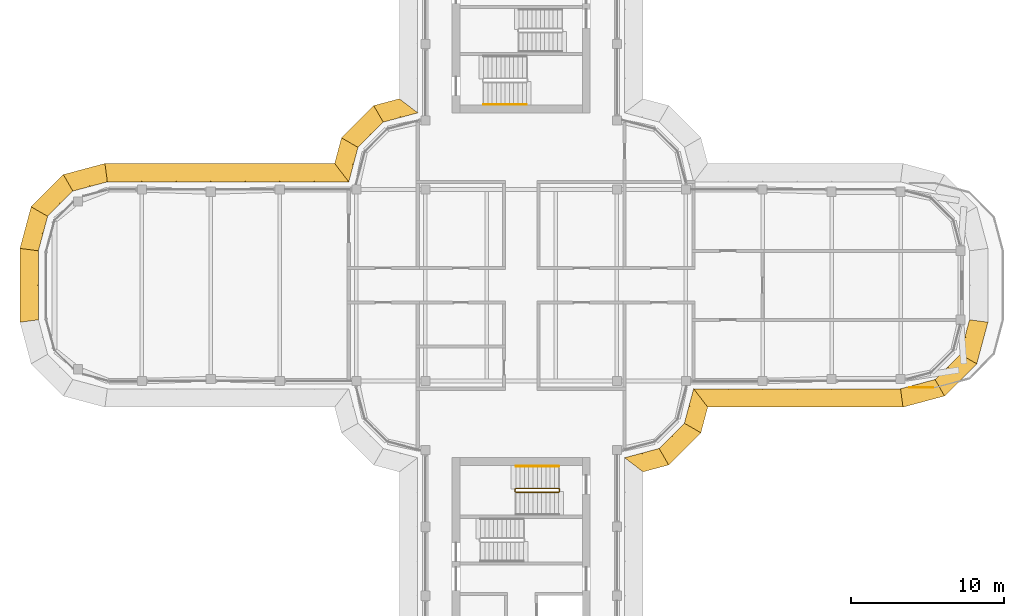
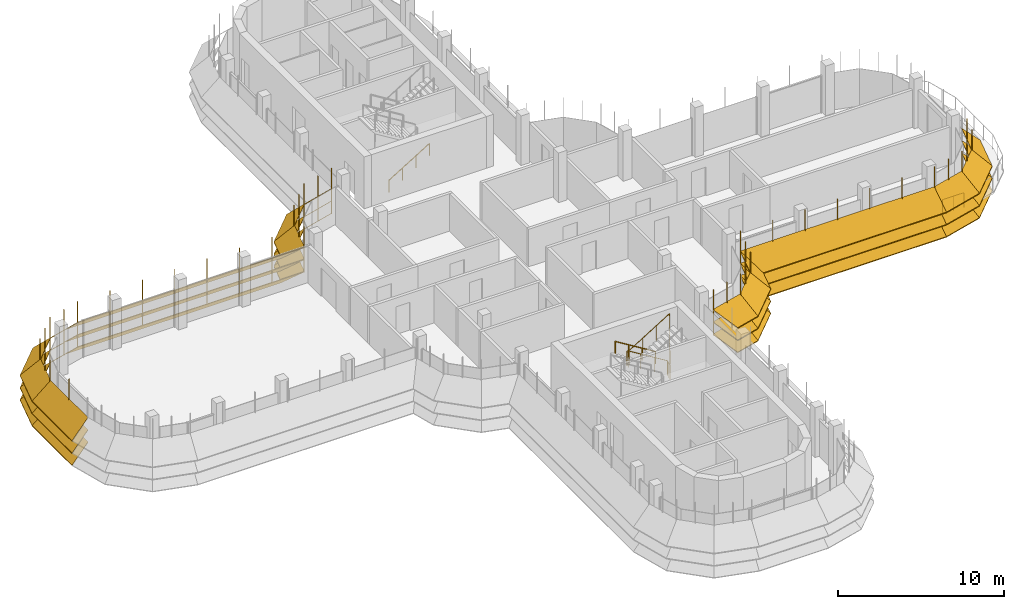
# One storey, part 18 of 20: 7 shading devices, 4 railings.
"""IFC4 building model written with IfcOpenShell, lengths in metres."""

from ifc_helpers import new_model, si_unit, direction, frame, origin, origin_2d, place, context, subcontext, project, spatial, polyline, circle, outline, extrude, faceted_brep, source, transform, mapped, material, type_object, element, save


model = new_model("IFC4")

# Units and contexts
model_context = context("Model", 3, precision=1e-05, world=origin(), true_north=direction((0.0, 1.0)))
body_context = subcontext(model_context, "Body", "Model", "MODEL_VIEW")
ifc_project = project(units=[si_unit("LENGTHUNIT", "METRE"), si_unit("AREAUNIT", "SQUARE_METRE"), si_unit("VOLUMEUNIT", "CUBIC_METRE"), si_unit("PLANEANGLEUNIT", "RADIAN"), si_unit("MASSUNIT", "GRAM", prefix="KILO")], contexts=[model_context])

# Site, building, storey
site_placement = place(None, origin())
site = spatial("IfcSite", under=ifc_project, at=site_placement, CompositionType="ELEMENT")
building_placement = place(site_placement, origin())
building = spatial("IfcBuilding", under=site, at=building_placement, Name="Zarbagh Exchange Tower", CompositionType="ELEMENT")
storey_placement = place(building_placement, frame((0.0, 0.0, 249.800048828125)))
storey = spatial("IfcBuildingStorey", under=building, at=storey_placement, Name="L61", CompositionType="ELEMENT", Elevation=249.800048828125)

# Railings
ifc_material_1 = material(Name="Stainless steel", Category="steel")
railing_type_1 = type_object("IfcRailingType", Name="Stair guard 1100 mm", PredefinedType="GUARDRAIL", material=ifc_material_1)
railing_1_placement = place(storey_placement, frame((-0.35009765625, -13.5, 2.07275390625)))
element("IfcRailing", 1, at=railing_1_placement, inside=storey, type_object=railing_type_1, Name="ST4 stair guard 1", PredefinedType="GUARDRAIL", context=body_context, shape_type="SweptSolid", body=[
    extrude(circle(Radius=0.02392578125, at=origin_2d()), frame((0.0, 0.0, 1.076171875), z_axis=(0.851089632645, 0.0, 0.525020415988), x_axis=(0.0, 1.0, 0.0)), (0.0, 0.0, 1.0), 3.2900390625),
    extrude(circle(Radius=0.02392578125, at=origin_2d()), frame((2.800048828125, 0.0, 2.80322265625), z_axis=(0.013168290981, 0.013168290981, -0.999826581076), x_axis=(-0.707106781187, 0.707106781187, 0.0)), (0.0, 0.0, 1.0), 3.80078125),
    extrude(circle(Radius=0.02392578125, at=origin_2d()), frame((2.85009765625, 0.050048828125, -0.99658203125), z_axis=(0.0, 1.0, 0.0), x_axis=(-1.0, 0.0, 0.0)), (0.0, 0.0, 1.0), 0.14990234375),
    extrude(circle(Radius=0.02392578125, at=origin_2d()), frame((2.85009765625, 0.199951171875, -0.99658203125), z_axis=(-0.268277960024, 0.268277960024, 0.925231793839), x_axis=(-0.707106781187, -0.707106781187, 0.0)), (0.0, 0.0, 1.0), 0.1865234375),
    extrude(circle(Radius=0.02392578125, at=origin_2d()), frame((2.800048828125, 0.25, -0.82421875), z_axis=(-0.851089632645, 0.0, 0.525020415988), x_axis=(0.0, -1.0, 0.0)), (0.0, 0.0, 1.0), 3.2900390625),
    extrude(circle(Radius=0.02392578125, at=origin_2d()), frame((0.0, 0.25, 0.9033203125), z_axis=(-0.705375805398, -0.708833529934, 0.0), x_axis=(0.708833529934, -0.705375805398, 0.0)), (0.0, 0.0, 1.0), 0.070556640625),
    extrude(circle(Radius=0.02392578125, at=origin_2d()), frame((-0.0498046875, 0.199951171875, 0.9033203125), z_axis=(0.0, -1.0, 0.0), x_axis=(1.0, 0.0, 0.0)), (0.0, 0.0, 1.0), 0.14990234375),
    extrude(circle(Radius=0.02099609375, at=origin_2d()), origin(), (0.0, 0.0, 1.0), 1.052001953125),
    extrude(circle(Radius=0.02099609375, at=origin_2d()), frame((0.933349609375, 0.0, 0.57568359375)), (0.0, 0.0, 1.0), 1.052001953125),
    extrude(circle(Radius=0.02099609375, at=origin_2d()), frame((1.86669921875, 0.0, 1.151611328125)), (0.0, 0.0, 1.0), 1.052001953125),
    extrude(circle(Radius=0.02099609375, at=origin_2d()), frame((2.800048828125, 0.0, 1.727294921875)), (0.0, 0.0, 1.0), 1.052001953125),
    extrude(circle(Radius=0.02099609375, at=origin_2d()), frame((2.8125, 0.012451171875, 0.77734375)), (0.0, 0.0, 1.0), 1.052001953125),
    extrude(circle(Radius=0.02099609375, at=origin_2d()), frame((2.8251953125, 0.02490234375, -0.1728515625)), (0.0, 0.0, 1.0), 1.052001953125),
    extrude(circle(Radius=0.02099609375, at=origin_2d()), frame((2.837646484375, 0.03759765625, -1.122802734375)), (0.0, 0.0, 1.0), 1.052001953125),
    extrude(circle(Radius=0.02099609375, at=origin_2d()), frame((2.85009765625, 0.050048828125, -2.07275390625)), (0.0, 0.0, 1.0), 1.052001953125),
    extrude(circle(Radius=0.02099609375, at=origin_2d()), frame((2.85009765625, 0.199951171875, -2.07275390625)), (0.0, 0.0, 1.0), 1.052001953125),
    extrude(circle(Radius=0.02099609375, at=origin_2d()), frame((2.800048828125, 0.25, -1.900146484375)), (0.0, 0.0, 1.0), 1.052001953125),
    extrude(circle(Radius=0.02099609375, at=origin_2d()), frame((1.86669921875, 0.25, -1.324462890625)), (0.0, 0.0, 1.0), 1.052001953125),
    extrude(circle(Radius=0.02099609375, at=origin_2d()), frame((0.933349609375, 0.25, -0.74853515625)), (0.0, 0.0, 1.0), 1.052001953125),
    extrude(circle(Radius=0.02099609375, at=origin_2d()), frame((0.0, 0.25, -0.1728515625)), (0.0, 0.0, 1.0), 1.052001953125),
    extrude(circle(Radius=0.02099609375, at=origin_2d()), frame((-0.0498046875, 0.199951171875, -0.1728515625)), (0.0, 0.0, 1.0), 1.052001953125),
    extrude(circle(Radius=0.02099609375, at=origin_2d()), frame((-0.0498046875, 0.050048828125, -0.1728515625)), (0.0, 0.0, 1.0), 1.052001953125),
])
railing_type_2 = type_object("IfcRailingType", Name="Stair handrail 900 mm", PredefinedType="HANDRAIL", material=ifc_material_1)
railing_2_placement = place(storey_placement, frame((-2.449951171875, 11.800048828125, 0.172607421875)))
element("IfcRailing", 2, at=railing_2_placement, inside=storey, type_object=railing_type_2, Name="ST2 stair handrail 1", PredefinedType="HANDRAIL", context=body_context, shape_type="SweptSolid", body=[
    extrude(circle(Radius=0.02392578125, at=origin_2d()), frame((0.0, 0.0, 0.8759765625), z_axis=(0.851089632645, 0.0, 0.525020415988), x_axis=(0.0, 1.0, 0.0)), (0.0, 0.0, 1.0), 3.2900390625),
    extrude(circle(Radius=0.02099609375, at=origin_2d()), origin(), (0.0, 0.0, 1.0), 0.851806640625),
    extrude(circle(Radius=0.02099609375, at=origin_2d()), frame((0.933349609375, 0.0, 0.57568359375)), (0.0, 0.0, 1.0), 0.851806640625),
    extrude(circle(Radius=0.02099609375, at=origin_2d()), frame((1.86669921875, 0.0, 1.151611328125)), (0.0, 0.0, 1.0), 0.851806640625),
    extrude(circle(Radius=0.02099609375, at=origin_2d()), frame((2.800048828125, 0.0, 1.727294921875)), (0.0, 0.0, 1.0), 0.851806640625),
])
railing_3_placement = place(storey_placement, frame((2.449951171875, -11.800048828125, 0.172607421875)))
element("IfcRailing", 3, at=railing_3_placement, inside=storey, type_object=railing_type_2, Name="ST4 stair handrail 1", PredefinedType="HANDRAIL", context=body_context, shape_type="SweptSolid", body=[
    extrude(circle(Radius=0.02392578125, at=origin_2d()), frame((0.0, 0.0, 0.8759765625), z_axis=(-0.851089632645, 0.0, 0.525020415988), x_axis=(0.0, -1.0, 0.0)), (0.0, 0.0, 1.0), 3.2900390625),
    extrude(circle(Radius=0.02099609375, at=origin_2d()), origin(), (0.0, 0.0, 1.0), 0.851806640625),
    extrude(circle(Radius=0.02099609375, at=origin_2d()), frame((-0.933349609375, 0.0, 0.57568359375)), (0.0, 0.0, 1.0), 0.851806640625),
    extrude(circle(Radius=0.02099609375, at=origin_2d()), frame((-1.86669921875, 0.0, 1.151611328125)), (0.0, 0.0, 1.0), 0.851806640625),
    extrude(circle(Radius=0.02099609375, at=origin_2d()), frame((-2.800048828125, 0.0, 1.727294921875)), (0.0, 0.0, 1.0), 0.851806640625),
])
ifc_material_2 = material(Name="Stainless steel and laminated glass", Category="steel")
railing_type_3 = type_object("IfcRailingType", Name="Terrace guard, glass balustrade 1.1 m", PredefinedType="GUARDRAIL", material=ifc_material_2)
railing_4_placement = place(storey_placement, frame((26.86279296875, -6.669921875, 0.0)))
element("IfcRailing", 4, at=railing_4_placement, inside=storey, type_object=railing_type_3, Name="TG01 terrace guard", PredefinedType="GUARDRAIL", context=body_context, shape_type="SweptSolid", body=[
    extrude(circle(Radius=0.02490234375, at=origin_2d()), frame((0.0, 0.0, 1.0751953125), z_axis=(-1.0, 0.0, 0.0), x_axis=(0.0, -1.0, 0.0)), (0.0, 0.0, 1.0), 1.505126953125),
    extrude(circle(Radius=0.02490234375, at=origin_2d()), origin(), (0.0, 0.0, 1.0), 1.050048828125),
    extrude(circle(Radius=0.02490234375, at=origin_2d()), frame((-0.75244140625, 0.0, 0.0)), (0.0, 0.0, 1.0), 1.050048828125),
    extrude(circle(Radius=0.02490234375, at=origin_2d()), frame((-1.505126953125, 0.0, 0.0)), (0.0, 0.0, 1.0), 1.050048828125),
])

# Shading devices
ifc_material_3 = material(Name="Anodised aluminium blades and brackets", Category="aluminium")
shading_device_type = type_object("IfcShadingDeviceType", Name="SUNSHADE louvre band, 45 degree blades", PredefinedType="JALOUSIE", material=ifc_material_3)
shared_shape_1 = source(origin(), body_context, "Body", "Brep", [
    faceted_brep([(0.0, 0.0, 0.0), (0.0, 0.0, -0.056640625), (-0.157958984375, -1.199951171875, -1.256591796875), (-0.157958984375, -1.199951171875, -1.199951171875), (2.65087890625, -1.199951171875, -1.199951171875), (2.65087890625, -1.199951171875, -1.256591796875), (2.329345703125, 0.0, -0.056640625), (2.329345703125, 0.0, 0.0)], [[[0, 1, 2, 3]], [[4, 5, 6, 7]], [[0, 7, 6, 1]], [[1, 6, 5, 2]], [[2, 5, 4, 3]], [[3, 4, 7, 0]]]),
])
shared_shape_2 = source(origin(), body_context, "Body", "Brep", [
    faceted_brep([(0.0, 0.0, 0.0), (0.0, 0.0, -0.056640625), (-0.321533203125, -1.199951171875, -1.256591796875), (-0.321533203125, -1.199951171875, -1.199951171875), (2.65087890625, -1.199951171875, -1.199951171875), (2.65087890625, -1.199951171875, -1.256591796875), (2.329345703125, 0.0, -0.056640625), (2.329345703125, 0.0, 0.0)], [[[0, 1, 2, 3]], [[4, 5, 6, 7]], [[0, 7, 6, 1]], [[1, 6, 5, 2]], [[2, 5, 4, 3]], [[3, 4, 7, 0]]]),
])
shared_shape_3 = source(origin(), body_context, "Body", "Brep", [
    faceted_brep([(0.0, 0.0, 0.0), (0.0, 0.0, -0.056640625), (-0.321533203125, -1.199951171875, -1.256591796875), (-0.321533203125, -1.199951171875, -1.199951171875), (2.4873046875, -1.199951171875, -1.199951171875), (2.4873046875, -1.199951171875, -1.256591796875), (2.329345703125, 0.0, -0.056640625), (2.329345703125, 0.0, 0.0)], [[[0, 1, 2, 3]], [[4, 5, 6, 7]], [[0, 7, 6, 1]], [[1, 6, 5, 2]], [[2, 5, 4, 3]], [[3, 4, 7, 0]]]),
])
shared_shape_4 = source(origin(), body_context, "Body", "SweptSolid", [
    extrude(outline(polyline([(0.0, -0.012451171875), (0.06005859375, -0.012451171875), (0.06005859375, 0.012451171875), (0.0, 0.012451171875), (0.0, -0.012451171875)])), origin(), (0.0, 0.0, 1.0), 3.366455078125),
])
placement = place(storey_placement, origin())
element("IfcShadingDevice", 5, at=placement, inside=storey, type_object=shading_device_type, Name="SS51 sunshade band", PredefinedType="JALOUSIE", context=body_context, shape_type="MappedRepresentation", body=[
    mapped(shared_shape_1, transform((24.75, -6.75, 2.300048828125), x_axis=(0.965924289636, 0.258824779902, 0.0), y_axis=(-0.258824779902, 0.965924289636, 0.0), z_axis=(0.0, 0.0, 1.0))),
    mapped(shared_shape_1, transform((24.75, -6.75, 1.39990234375), x_axis=(0.965924289636, 0.258824779902, 0.0), y_axis=(-0.258824779902, 0.965924289636, 0.0), z_axis=(0.0, 0.0, 1.0))),
    mapped(shared_shape_1, transform((24.75, -6.75, 0.5), x_axis=(0.965924289636, 0.258824779902, 0.0), y_axis=(-0.258824779902, 0.965924289636, 0.0), z_axis=(0.0, 0.0, 1.0))),
    mapped(shared_shape_2, transform((27.0, -6.147216796875, 2.300048828125), x_axis=(0.707106781187, 0.707106781187, 0.0), y_axis=(-0.707106781187, 0.707106781187, 0.0), z_axis=(0.0, 0.0, 1.0))),
    mapped(shared_shape_2, transform((27.0, -6.147216796875, 1.39990234375), x_axis=(0.707106781187, 0.707106781187, 0.0), y_axis=(-0.707106781187, 0.707106781187, 0.0), z_axis=(0.0, 0.0, 1.0))),
    mapped(shared_shape_2, transform((27.0, -6.147216796875, 0.5), x_axis=(0.707106781187, 0.707106781187, 0.0), y_axis=(-0.707106781187, 0.707106781187, 0.0), z_axis=(0.0, 0.0, 1.0))),
    mapped(shared_shape_3, transform((28.647216796875, -4.5, 2.300048828125), x_axis=(0.258824779902, 0.965924289636, 0.0), y_axis=(-0.965924289636, 0.258824779902, 0.0), z_axis=(0.0, 0.0, 1.0))),
    mapped(shared_shape_3, transform((28.647216796875, -4.5, 1.39990234375), x_axis=(0.258824779902, 0.965924289636, 0.0), y_axis=(-0.965924289636, 0.258824779902, 0.0), z_axis=(0.0, 0.0, 1.0))),
    mapped(shared_shape_3, transform((28.647216796875, -4.5, 0.5), x_axis=(0.258824779902, 0.965924289636, 0.0), y_axis=(-0.965924289636, 0.258824779902, 0.0), z_axis=(0.0, 0.0, 1.0))),
    mapped(shared_shape_4, transform((24.75, -6.75, 0.413330078125), x_axis=(0.130529263012, -0.991444457092, 0.0), y_axis=(0.991444457092, 0.130529263012, 0.0), z_axis=(0.0, 0.0, 1.0))),
    mapped(shared_shape_4, transform((25.875, -6.448486328125, 0.413330078125), x_axis=(0.258825058029, -0.96592421511, 0.0), y_axis=(0.96592421511, 0.258825058029, 0.0), z_axis=(0.0, 0.0, 1.0))),
    mapped(shared_shape_4, transform((27.0, -6.147216796875, 0.413330078125), x_axis=(0.50000275701, -0.866023812018, 0.0), y_axis=(0.866023812018, 0.50000275701, 0.0), z_axis=(0.0, 0.0, 1.0))),
    mapped(shared_shape_4, transform((27.823486328125, -5.323486328125, 0.413330078125), x_axis=(0.707106781187, -0.707106781187, 0.0), y_axis=(0.707106781187, 0.707106781187, 0.0), z_axis=(0.0, 0.0, 1.0))),
    mapped(shared_shape_4, transform((28.647216796875, -4.5, 0.413330078125), x_axis=(0.866023812018, -0.50000275701, 0.0), y_axis=(0.50000275701, 0.866023812018, 0.0), z_axis=(0.0, 0.0, 1.0))),
    mapped(shared_shape_4, transform((28.948486328125, -3.375, 0.413330078125), x_axis=(0.96592421511, -0.258825058029, 0.0), y_axis=(0.258825058029, 0.96592421511, 0.0), z_axis=(0.0, 0.0, 1.0))),
])
element("IfcShadingDevice", 6, at=placement, inside=storey, type_object=shading_device_type, Name="SS41 sunshade band", PredefinedType="JALOUSIE", context=body_context, shape_type="MappedRepresentation", body=[
    mapped(shared_shape_1, transform((-27.0, 6.75, 2.300048828125), x_axis=(-0.965924289636, -0.258824779902, 0.0), y_axis=(0.258824779902, -0.965924289636, 0.0), z_axis=(0.0, 0.0, 1.0))),
    mapped(shared_shape_1, transform((-27.0, 6.75, 1.39990234375), x_axis=(-0.965924289636, -0.258824779902, 0.0), y_axis=(0.258824779902, -0.965924289636, 0.0), z_axis=(0.0, 0.0, 1.0))),
    mapped(shared_shape_1, transform((-27.0, 6.75, 0.5), x_axis=(-0.965924289636, -0.258824779902, 0.0), y_axis=(0.258824779902, -0.965924289636, 0.0), z_axis=(0.0, 0.0, 1.0))),
    mapped(shared_shape_2, transform((-29.25, 6.147216796875, 2.300048828125), x_axis=(-0.707106781187, -0.707106781187, 0.0), y_axis=(0.707106781187, -0.707106781187, 0.0), z_axis=(0.0, 0.0, 1.0))),
    mapped(shared_shape_2, transform((-29.25, 6.147216796875, 1.39990234375), x_axis=(-0.707106781187, -0.707106781187, 0.0), y_axis=(0.707106781187, -0.707106781187, 0.0), z_axis=(0.0, 0.0, 1.0))),
    mapped(shared_shape_2, transform((-29.25, 6.147216796875, 0.5), x_axis=(-0.707106781187, -0.707106781187, 0.0), y_axis=(0.707106781187, -0.707106781187, 0.0), z_axis=(0.0, 0.0, 1.0))),
    mapped(shared_shape_3, transform((-30.897216796875, 4.5, 2.300048828125), x_axis=(-0.258824779902, -0.965924289636, 0.0), y_axis=(0.965924289636, -0.258824779902, 0.0), z_axis=(0.0, 0.0, 1.0))),
    mapped(shared_shape_3, transform((-30.897216796875, 4.5, 1.39990234375), x_axis=(-0.258824779902, -0.965924289636, 0.0), y_axis=(0.965924289636, -0.258824779902, 0.0), z_axis=(0.0, 0.0, 1.0))),
    mapped(shared_shape_3, transform((-30.897216796875, 4.5, 0.5), x_axis=(-0.258824779902, -0.965924289636, 0.0), y_axis=(0.965924289636, -0.258824779902, 0.0), z_axis=(0.0, 0.0, 1.0))),
    mapped(shared_shape_4, transform((-27.0, 6.75, 0.413330078125), x_axis=(-0.130529263012, 0.991444457092, 0.0), y_axis=(-0.991444457092, -0.130529263012, 0.0), z_axis=(0.0, 0.0, 1.0))),
    mapped(shared_shape_4, transform((-28.125, 6.448486328125, 0.413330078125), x_axis=(-0.258825058029, 0.96592421511, 0.0), y_axis=(-0.96592421511, -0.258825058029, 0.0), z_axis=(0.0, 0.0, 1.0))),
    mapped(shared_shape_4, transform((-29.25, 6.147216796875, 0.413330078125), x_axis=(-0.50000275701, 0.866023812018, 0.0), y_axis=(-0.866023812018, -0.50000275701, 0.0), z_axis=(0.0, 0.0, 1.0))),
    mapped(shared_shape_4, transform((-30.073486328125, 5.323486328125, 0.413330078125), x_axis=(-0.707106781187, 0.707106781187, 0.0), y_axis=(-0.707106781187, -0.707106781187, 0.0), z_axis=(0.0, 0.0, 1.0))),
    mapped(shared_shape_4, transform((-30.897216796875, 4.5, 0.413330078125), x_axis=(-0.866023812018, 0.50000275701, 0.0), y_axis=(-0.50000275701, -0.866023812018, 0.0), z_axis=(0.0, 0.0, 1.0))),
    mapped(shared_shape_4, transform((-31.198486328125, 3.375, 0.413330078125), x_axis=(-0.96592421511, 0.258825058029, 0.0), y_axis=(-0.258825058029, -0.96592421511, 0.0), z_axis=(0.0, 0.0, 1.0))),
])
shared_shape_5 = source(origin(), body_context, "Body", "Brep", [
    faceted_brep([(0.0, 0.0, 0.0), (0.0, 0.0, -0.056640625), (0.9208984375, -1.199951171875, -1.256591796875), (0.9208984375, -1.199951171875, -1.199951171875), (2.65087890625, -1.199951171875, -1.199951171875), (2.65087890625, -1.199951171875, -1.256591796875), (2.329345703125, 0.0, -0.056640625), (2.329345703125, 0.0, 0.0)], [[[0, 1, 2, 3]], [[4, 5, 6, 7]], [[0, 7, 6, 1]], [[1, 6, 5, 2]], [[2, 5, 4, 3]], [[3, 4, 7, 0]]]),
])
shared_shape_6 = source(origin(), body_context, "Body", "Brep", [
    faceted_brep([(0.0, 0.0, 0.0), (0.0, 0.0, -0.056640625), (-0.321533203125, -1.199951171875, -1.256591796875), (-0.321533203125, -1.199951171875, -1.199951171875), (1.40869140625, -1.199951171875, -1.199951171875), (1.40869140625, -1.199951171875, -1.256591796875), (2.329345703125, 0.0, -0.056640625), (2.329345703125, 0.0, 0.0)], [[[0, 1, 2, 3]], [[4, 5, 6, 7]], [[0, 7, 6, 1]], [[1, 6, 5, 2]], [[2, 5, 4, 3]], [[3, 4, 7, 0]]]),
])
element("IfcShadingDevice", 7, at=placement, inside=storey, type_object=shading_device_type, Name="SS03 sunshade band", PredefinedType="JALOUSIE", context=body_context, shape_type="MappedRepresentation", body=[
    mapped(shared_shape_5, transform((6.75, -11.25, 2.300048828125), x_axis=(0.965924289636, 0.258824779902, 0.0), y_axis=(-0.258824779902, 0.965924289636, 0.0), z_axis=(0.0, 0.0, 1.0))),
    mapped(shared_shape_5, transform((6.75, -11.25, 1.39990234375), x_axis=(0.965924289636, 0.258824779902, 0.0), y_axis=(-0.258824779902, 0.965924289636, 0.0), z_axis=(0.0, 0.0, 1.0))),
    mapped(shared_shape_5, transform((6.75, -11.25, 0.5), x_axis=(0.965924289636, 0.258824779902, 0.0), y_axis=(-0.258824779902, 0.965924289636, 0.0), z_axis=(0.0, 0.0, 1.0))),
    mapped(shared_shape_2, transform((9.0, -10.647216796875, 2.300048828125), x_axis=(0.707106781187, 0.707106781187, 0.0), y_axis=(-0.707106781187, 0.707106781187, 0.0), z_axis=(0.0, 0.0, 1.0))),
    mapped(shared_shape_2, transform((9.0, -10.647216796875, 1.39990234375), x_axis=(0.707106781187, 0.707106781187, 0.0), y_axis=(-0.707106781187, 0.707106781187, 0.0), z_axis=(0.0, 0.0, 1.0))),
    mapped(shared_shape_2, transform((9.0, -10.647216796875, 0.5), x_axis=(0.707106781187, 0.707106781187, 0.0), y_axis=(-0.707106781187, 0.707106781187, 0.0), z_axis=(0.0, 0.0, 1.0))),
    mapped(shared_shape_6, transform((10.647216796875, -9.0, 2.300048828125), x_axis=(0.258824779902, 0.965924289636, 0.0), y_axis=(-0.965924289636, 0.258824779902, 0.0), z_axis=(0.0, 0.0, 1.0))),
    mapped(shared_shape_6, transform((10.647216796875, -9.0, 1.39990234375), x_axis=(0.258824779902, 0.965924289636, 0.0), y_axis=(-0.965924289636, 0.258824779902, 0.0), z_axis=(0.0, 0.0, 1.0))),
    mapped(shared_shape_6, transform((10.647216796875, -9.0, 0.5), x_axis=(0.258824779902, 0.965924289636, 0.0), y_axis=(-0.965924289636, 0.258824779902, 0.0), z_axis=(0.0, 0.0, 1.0))),
    mapped(shared_shape_4, transform((6.75, -11.25, 0.413330078125), x_axis=(0.793355287, -0.608758892, 0.0), y_axis=(0.608758892, 0.793355287, 0.0), z_axis=(0.0, 0.0, 1.0))),
    mapped(shared_shape_4, transform((7.875, -10.948486328125, 0.413330078125), x_axis=(0.258825058029, -0.96592421511, 0.0), y_axis=(0.96592421511, 0.258825058029, 0.0), z_axis=(0.0, 0.0, 1.0))),
    mapped(shared_shape_4, transform((9.0, -10.647216796875, 0.413330078125), x_axis=(0.50000275701, -0.866023812018, 0.0), y_axis=(0.866023812018, 0.50000275701, 0.0), z_axis=(0.0, 0.0, 1.0))),
    mapped(shared_shape_4, transform((9.823486328125, -9.823486328125, 0.413330078125), x_axis=(0.707106781187, -0.707106781187, 0.0), y_axis=(0.707106781187, 0.707106781187, 0.0), z_axis=(0.0, 0.0, 1.0))),
    mapped(shared_shape_4, transform((10.647216796875, -9.0, 0.413330078125), x_axis=(0.866023812018, -0.50000275701, 0.0), y_axis=(0.50000275701, 0.866023812018, 0.0), z_axis=(0.0, 0.0, 1.0))),
    mapped(shared_shape_4, transform((10.948486328125, -7.875, 0.413330078125), x_axis=(0.96592421511, -0.258825058029, 0.0), y_axis=(0.258825058029, 0.96592421511, 0.0), z_axis=(0.0, 0.0, 1.0))),
])
element("IfcShadingDevice", 8, at=placement, inside=storey, type_object=shading_device_type, Name="SS15 sunshade band", PredefinedType="JALOUSIE", context=body_context, shape_type="MappedRepresentation", body=[
    mapped(shared_shape_5, transform((-6.75, 11.25, 2.300048828125), x_axis=(-0.965924289636, -0.258824779902, 0.0), y_axis=(0.258824779902, -0.965924289636, 0.0), z_axis=(0.0, 0.0, 1.0))),
    mapped(shared_shape_5, transform((-6.75, 11.25, 1.39990234375), x_axis=(-0.965924289636, -0.258824779902, 0.0), y_axis=(0.258824779902, -0.965924289636, 0.0), z_axis=(0.0, 0.0, 1.0))),
    mapped(shared_shape_5, transform((-6.75, 11.25, 0.5), x_axis=(-0.965924289636, -0.258824779902, 0.0), y_axis=(0.258824779902, -0.965924289636, 0.0), z_axis=(0.0, 0.0, 1.0))),
    mapped(shared_shape_2, transform((-9.0, 10.647216796875, 2.300048828125), x_axis=(-0.707106781187, -0.707106781187, 0.0), y_axis=(0.707106781187, -0.707106781187, 0.0), z_axis=(0.0, 0.0, 1.0))),
    mapped(shared_shape_2, transform((-9.0, 10.647216796875, 1.39990234375), x_axis=(-0.707106781187, -0.707106781187, 0.0), y_axis=(0.707106781187, -0.707106781187, 0.0), z_axis=(0.0, 0.0, 1.0))),
    mapped(shared_shape_2, transform((-9.0, 10.647216796875, 0.5), x_axis=(-0.707106781187, -0.707106781187, 0.0), y_axis=(0.707106781187, -0.707106781187, 0.0), z_axis=(0.0, 0.0, 1.0))),
    mapped(shared_shape_6, transform((-10.647216796875, 9.0, 2.300048828125), x_axis=(-0.258824779902, -0.965924289636, 0.0), y_axis=(0.965924289636, -0.258824779902, 0.0), z_axis=(0.0, 0.0, 1.0))),
    mapped(shared_shape_6, transform((-10.647216796875, 9.0, 1.39990234375), x_axis=(-0.258824779902, -0.965924289636, 0.0), y_axis=(0.965924289636, -0.258824779902, 0.0), z_axis=(0.0, 0.0, 1.0))),
    mapped(shared_shape_6, transform((-10.647216796875, 9.0, 0.5), x_axis=(-0.258824779902, -0.965924289636, 0.0), y_axis=(0.965924289636, -0.258824779902, 0.0), z_axis=(0.0, 0.0, 1.0))),
    mapped(shared_shape_4, transform((-6.75, 11.25, 0.413330078125), x_axis=(-0.793355287, 0.608758892, 0.0), y_axis=(-0.608758892, -0.793355287, 0.0), z_axis=(0.0, 0.0, 1.0))),
    mapped(shared_shape_4, transform((-7.875, 10.948486328125, 0.413330078125), x_axis=(-0.258825058029, 0.96592421511, 0.0), y_axis=(-0.96592421511, -0.258825058029, 0.0), z_axis=(0.0, 0.0, 1.0))),
    mapped(shared_shape_4, transform((-9.0, 10.647216796875, 0.413330078125), x_axis=(-0.50000275701, 0.866023812018, 0.0), y_axis=(-0.866023812018, -0.50000275701, 0.0), z_axis=(0.0, 0.0, 1.0))),
    mapped(shared_shape_4, transform((-9.823486328125, 9.823486328125, 0.413330078125), x_axis=(-0.707106781187, 0.707106781187, 0.0), y_axis=(-0.707106781187, -0.707106781187, 0.0), z_axis=(0.0, 0.0, 1.0))),
    mapped(shared_shape_4, transform((-10.647216796875, 9.0, 0.413330078125), x_axis=(-0.866023812018, 0.50000275701, 0.0), y_axis=(-0.50000275701, -0.866023812018, 0.0), z_axis=(0.0, 0.0, 1.0))),
    mapped(shared_shape_4, transform((-10.948486328125, 7.875, 0.413330078125), x_axis=(-0.96592421511, 0.258825058029, 0.0), y_axis=(-0.258825058029, -0.96592421511, 0.0), z_axis=(0.0, 0.0, 1.0))),
])
shared_shape_7 = source(origin(), body_context, "Body", "Brep", [
    faceted_brep([(0.0, 0.0, 0.0), (0.0, 0.0, -0.056640625), (0.9208984375, -1.199951171875, -1.256591796875), (0.9208984375, -1.199951171875, -1.199951171875), (13.657958984375, -1.199951171875, -1.199951171875), (13.657958984375, -1.199951171875, -1.256591796875), (13.5, 0.0, -0.056640625), (13.5, 0.0, 0.0)], [[[0, 1, 2, 3]], [[4, 5, 6, 7]], [[0, 7, 6, 1]], [[1, 6, 5, 2]], [[2, 5, 4, 3]], [[3, 4, 7, 0]]]),
])
element("IfcShadingDevice", 9, at=placement, inside=storey, type_object=shading_device_type, Name="SS50 sunshade band", PredefinedType="JALOUSIE", context=body_context, shape_type="MappedRepresentation", body=[
    mapped(shared_shape_7, transform((11.25, -6.75, 2.300048828125), x_axis=(1.0, 0.0, 0.0), y_axis=(0.0, 1.0, 0.0), z_axis=(0.0, 0.0, 1.0))),
    mapped(shared_shape_7, transform((11.25, -6.75, 1.39990234375), x_axis=(1.0, 0.0, 0.0), y_axis=(0.0, 1.0, 0.0), z_axis=(0.0, 0.0, 1.0))),
    mapped(shared_shape_7, transform((11.25, -6.75, 0.5), x_axis=(1.0, 0.0, 0.0), y_axis=(0.0, 1.0, 0.0), z_axis=(0.0, 0.0, 1.0))),
    mapped(shared_shape_4, transform((11.25, -6.75, 0.413330078125), x_axis=(0.608758892, -0.793355287, 0.0), y_axis=(0.793355287, 0.608758892, 0.0), z_axis=(0.0, 0.0, 1.0))),
    mapped(shared_shape_4, transform((13.5, -6.75, 0.413330078125), x_axis=(0.0, -1.0, 0.0), y_axis=(1.0, 0.0, 0.0), z_axis=(0.0, 0.0, 1.0))),
    mapped(shared_shape_4, transform((15.75, -6.75, 0.413330078125), x_axis=(0.0, -1.0, 0.0), y_axis=(1.0, 0.0, 0.0), z_axis=(0.0, 0.0, 1.0))),
    mapped(shared_shape_4, transform((18.0, -6.75, 0.413330078125), x_axis=(0.0, -1.0, 0.0), y_axis=(1.0, 0.0, 0.0), z_axis=(0.0, 0.0, 1.0))),
    mapped(shared_shape_4, transform((20.25, -6.75, 0.413330078125), x_axis=(0.0, -1.0, 0.0), y_axis=(1.0, 0.0, 0.0), z_axis=(0.0, 0.0, 1.0))),
    mapped(shared_shape_4, transform((22.5, -6.75, 0.413330078125), x_axis=(0.0, -1.0, 0.0), y_axis=(1.0, 0.0, 0.0), z_axis=(0.0, 0.0, 1.0))),
])
shared_shape_8 = source(origin(), body_context, "Body", "Brep", [
    faceted_brep([(0.0, 0.0, 0.0), (0.0, 0.0, -0.056640625), (0.9208984375, -1.199951171875, -1.256591796875), (0.9208984375, -1.199951171875, -1.199951171875), (15.907958984375, -1.199951171875, -1.199951171875), (15.907958984375, -1.199951171875, -1.256591796875), (15.75, 0.0, -0.056640625), (15.75, 0.0, 0.0)], [[[0, 1, 2, 3]], [[4, 5, 6, 7]], [[0, 7, 6, 1]], [[1, 6, 5, 2]], [[2, 5, 4, 3]], [[3, 4, 7, 0]]]),
])
element("IfcShadingDevice", 10, at=placement, inside=storey, type_object=shading_device_type, Name="SS40 sunshade band", PredefinedType="JALOUSIE", context=body_context, shape_type="MappedRepresentation", body=[
    mapped(shared_shape_8, transform((-11.25, 6.75, 2.300048828125), x_axis=(-1.0, 0.0, 0.0), y_axis=(0.0, -1.0, 0.0), z_axis=(0.0, 0.0, 1.0))),
    mapped(shared_shape_8, transform((-11.25, 6.75, 1.39990234375), x_axis=(-1.0, 0.0, 0.0), y_axis=(0.0, -1.0, 0.0), z_axis=(0.0, 0.0, 1.0))),
    mapped(shared_shape_8, transform((-11.25, 6.75, 0.5), x_axis=(-1.0, 0.0, 0.0), y_axis=(0.0, -1.0, 0.0), z_axis=(0.0, 0.0, 1.0))),
    mapped(shared_shape_4, transform((-11.25, 6.75, 0.413330078125), x_axis=(-0.608758892, 0.793355287, 0.0), y_axis=(-0.793355287, -0.608758892, 0.0), z_axis=(0.0, 0.0, 1.0))),
    mapped(shared_shape_4, transform((-13.5, 6.75, 0.413330078125), x_axis=(0.0, 1.0, 0.0), y_axis=(-1.0, 0.0, 0.0), z_axis=(0.0, 0.0, 1.0))),
    mapped(shared_shape_4, transform((-15.75, 6.75, 0.413330078125), x_axis=(0.0, 1.0, 0.0), y_axis=(-1.0, 0.0, 0.0), z_axis=(0.0, 0.0, 1.0))),
    mapped(shared_shape_4, transform((-18.0, 6.75, 0.413330078125), x_axis=(0.0, 1.0, 0.0), y_axis=(-1.0, 0.0, 0.0), z_axis=(0.0, 0.0, 1.0))),
    mapped(shared_shape_4, transform((-20.25, 6.75, 0.413330078125), x_axis=(0.0, 1.0, 0.0), y_axis=(-1.0, 0.0, 0.0), z_axis=(0.0, 0.0, 1.0))),
    mapped(shared_shape_4, transform((-22.5, 6.75, 0.413330078125), x_axis=(0.0, 1.0, 0.0), y_axis=(-1.0, 0.0, 0.0), z_axis=(0.0, 0.0, 1.0))),
    mapped(shared_shape_4, transform((-24.75, 6.75, 0.413330078125), x_axis=(0.0, 1.0, 0.0), y_axis=(-1.0, 0.0, 0.0), z_axis=(0.0, 0.0, 1.0))),
])
shared_shape_9 = source(origin(), body_context, "Body", "Brep", [
    faceted_brep([(0.0, 0.0, 0.0), (0.0, 0.0, -0.056640625), (-0.157958984375, -1.199951171875, -1.256591796875), (-0.157958984375, -1.199951171875, -1.199951171875), (4.657958984375, -1.199951171875, -1.199951171875), (4.657958984375, -1.199951171875, -1.256591796875), (4.5, 0.0, -0.056640625), (4.5, 0.0, 0.0)], [[[0, 1, 2, 3]], [[4, 5, 6, 7]], [[0, 7, 6, 1]], [[1, 6, 5, 2]], [[2, 5, 4, 3]], [[3, 4, 7, 0]]]),
])
element("IfcShadingDevice", 11, at=placement, inside=storey, type_object=shading_device_type, Name="SS42 sunshade band", PredefinedType="JALOUSIE", context=body_context, shape_type="MappedRepresentation", body=[
    mapped(shared_shape_9, transform((-31.5, 2.25, 2.300048828125), x_axis=(0.0, -1.0, 0.0), y_axis=(1.0, 0.0, 0.0), z_axis=(0.0, 0.0, 1.0))),
    mapped(shared_shape_9, transform((-31.5, 2.25, 1.39990234375), x_axis=(0.0, -1.0, 0.0), y_axis=(1.0, 0.0, 0.0), z_axis=(0.0, 0.0, 1.0))),
    mapped(shared_shape_9, transform((-31.5, 2.25, 0.5), x_axis=(0.0, -1.0, 0.0), y_axis=(1.0, 0.0, 0.0), z_axis=(0.0, 0.0, 1.0))),
    mapped(shared_shape_4, transform((-31.5, 2.25, 0.413330078125), x_axis=(-0.991444457092, 0.130529263012, 0.0), y_axis=(-0.130529263012, -0.991444457092, 0.0), z_axis=(0.0, 0.0, 1.0))),
    mapped(shared_shape_4, transform((-31.5, 0.0, 0.413330078125), x_axis=(-1.0, 0.0, 0.0), y_axis=(0.0, -1.0, 0.0), z_axis=(0.0, 0.0, 1.0))),
])

save(model, "model.ifc")
